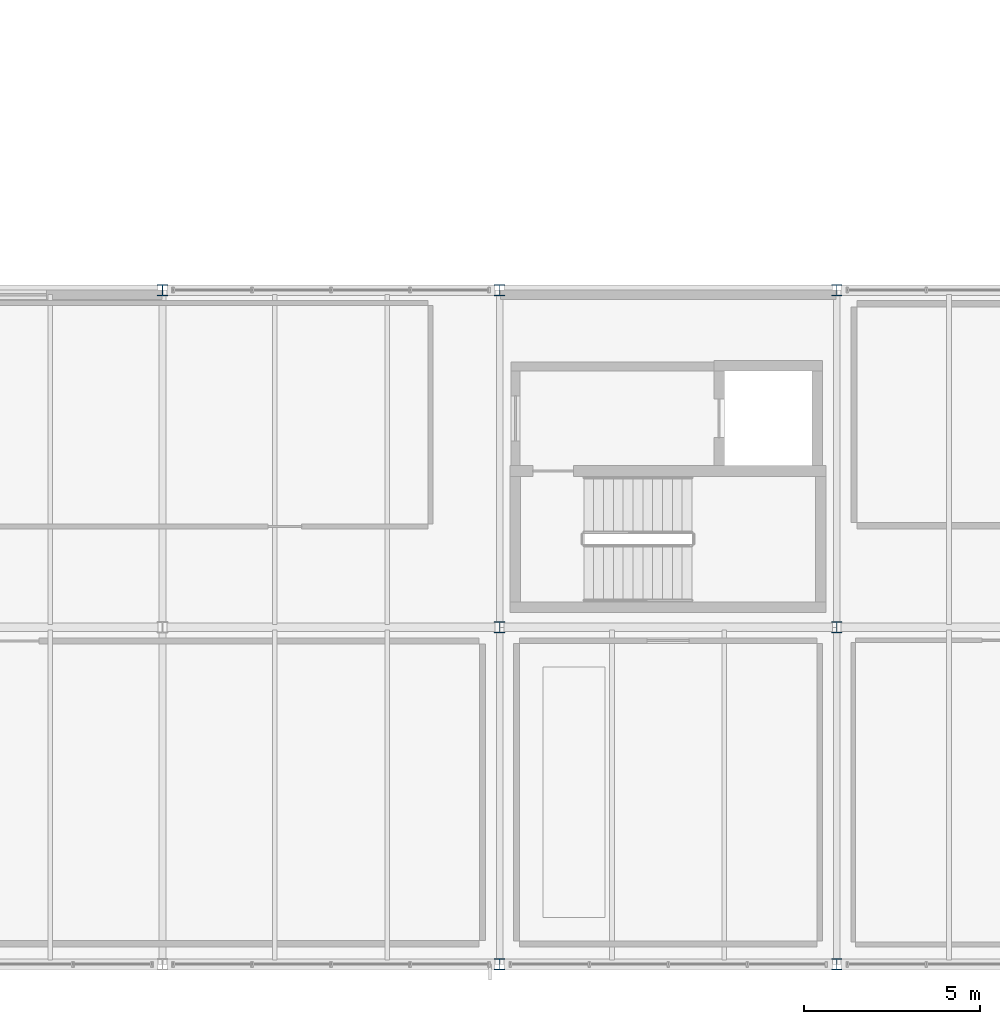
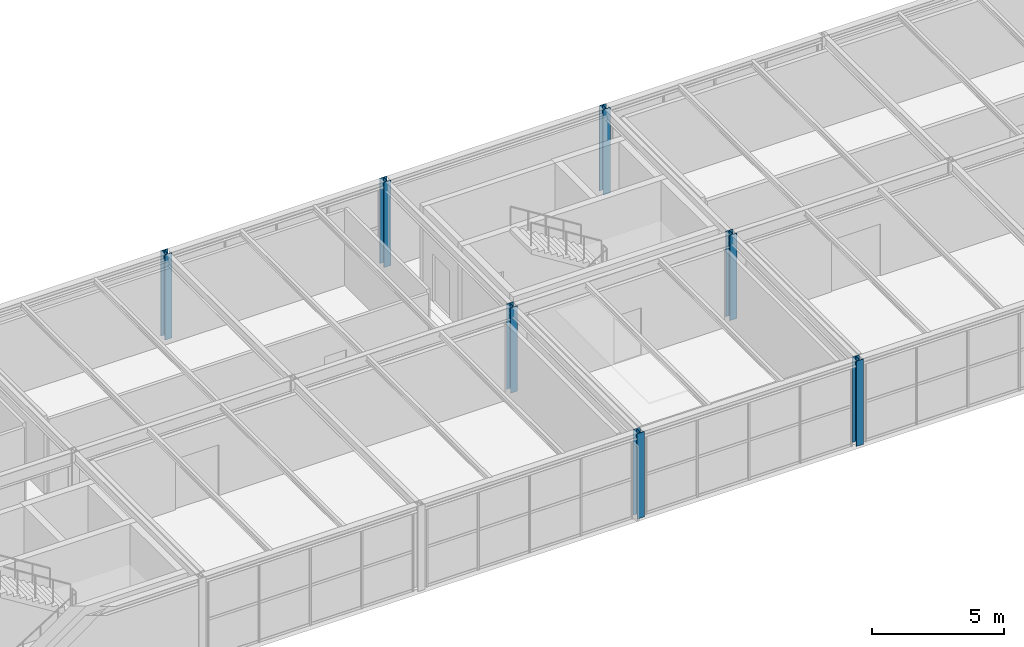
# One storey, part 2 of 50: 7 columns.
"""IFC4 building model written with IfcOpenShell, lengths in metres."""

import ifcopenshell
import ifcopenshell.guid

model = None  # the IFC model being written
_history = None  # IfcOwnerHistory: only IFC2X3 demands one
_inside = {}  # id of a spatial element -> (the spatial element, [elements in it])
_under = {}  # id of a project, library or spatial element -> (it, [spatial elements below it])
_declared = {}  # id of a project -> (the project, [libraries it declares])
_typed = {}  # id of a type object -> (the type object, [elements of that type])
_made_of = {}  # id of a material, layer set ... -> (it, [elements and type objects made of it])


def new_model(schema):
    """Start an empty IFC model of exactly this schema.

    Asked for "IFC4X3", IfcOpenShell would pick the latest addendum, in which some entities
    have other attributes; the version numbers below select the first issue.
    IFC2X3 requires an IfcOwnerHistory on every rooted entity: one is made here for all.
    """
    global model, _history
    if schema == "IFC4X3":
        model = ifcopenshell.file(schema_version=(4, 3, 0, 0))
    else:
        model = ifcopenshell.file(schema=schema)
    _inside.clear()
    _under.clear()
    _declared.clear()
    _typed.clear()
    _made_of.clear()
    _history = None
    if model.schema == "IFC2X3":
        org = make("IfcOrganization", Name="unknown")
        user = make(
            "IfcPersonAndOrganization",
            ThePerson=make("IfcPerson", FamilyName="unknown"),
            TheOrganization=org,
        )
        app = make(
            "IfcApplication",
            ApplicationDeveloper=org,
            Version="unknown",
            ApplicationFullName="unknown",
            ApplicationIdentifier="unknown",
        )
        _history = make(
            "IfcOwnerHistory",
            OwningUser=user,
            OwningApplication=app,
            ChangeAction="ADDED",
            CreationDate=0,
        )
    return model


def make(cls, **values):
    """One entity of the class cls with the attributes given. An attribute that is None is left unset."""
    return model.create_entity(
        cls, **{name: value for name, value in values.items() if value is not None}
    )


def rooted(cls, **values):
    """An entity with a GlobalId (a new one), such as an element, a storey or a relation."""
    return make(cls, GlobalId=ifcopenshell.guid.new(), OwnerHistory=_history, **values)


def si_unit(unit_type, name, prefix=None):
    """IfcSIUnit, for example si_unit("LENGTHUNIT", "METRE", prefix="MILLI")."""
    return make("IfcSIUnit", UnitType=unit_type, Prefix=prefix, Name=name)


def assignment(units):
    """IfcUnitAssignment: the units of a project."""
    return None if units is None else make("IfcUnitAssignment", Units=units)


def point(xyz):
    """IfcCartesianPoint."""
    return None if xyz is None else make("IfcCartesianPoint", Coordinates=xyz)


def direction(xyz):
    """IfcDirection."""
    return None if xyz is None else make("IfcDirection", DirectionRatios=xyz)


def frame(location, z_axis=None, x_axis=None):
    """IfcAxis2Placement3D, a coordinate frame: its origin and axes. An axis left out is left unset."""
    return make(
        "IfcAxis2Placement3D",
        Location=point(location),
        Axis=direction(z_axis),
        RefDirection=direction(x_axis),
    )


def frame_2d(location, x_axis=None):
    """IfcAxis2Placement2D, a coordinate frame in the plane: its origin and x axis."""
    return make(
        "IfcAxis2Placement2D", Location=point(location), RefDirection=direction(x_axis)
    )


def origin():
    """The frame at (0, 0, 0) with its axes left unset."""
    return frame((0.0, 0.0, 0.0))


def origin_2d():
    """The frame at (0, 0) in the plane with its x axis left unset."""
    return frame_2d((0.0, 0.0))


def place(relative_to, where):
    """IfcLocalPlacement: puts the frame where relative to a parent placement (None: the world)."""
    return make(
        "IfcLocalPlacement", PlacementRelTo=relative_to, RelativePlacement=where
    )


def context(
    kind, dimensions, precision=None, world=None, true_north=None, identifier=None
):
    """IfcGeometricRepresentationContext, for example the 3D "Model" context."""
    return make(
        "IfcGeometricRepresentationContext",
        ContextIdentifier=identifier,
        ContextType=kind,
        CoordinateSpaceDimension=dimensions,
        Precision=precision,
        WorldCoordinateSystem=world,
        TrueNorth=true_north,
    )


def subcontext(parent, identifier, kind, view, scale=None):
    """IfcGeometricRepresentationSubContext, for example "Body" below "Model"."""
    return make(
        "IfcGeometricRepresentationSubContext",
        ContextIdentifier=identifier,
        ContextType=kind,
        ParentContext=parent,
        TargetScale=scale,
        TargetView=view,
    )


def project(units=None, contexts=None):
    """IfcProject with its units and contexts."""
    return rooted(
        "IfcProject",
        Name="project",
        RepresentationContexts=contexts,
        UnitsInContext=assignment(units),
    )


def spatial(cls, under=None, at=None, **own):
    """A site, building, storey or space (cls), placed at a placement, below another one or the project."""
    s = rooted(cls, ObjectPlacement=at, **own)
    if under is not None:
        _under.setdefault(under.id(), (under, []))[1].append(s)
    return s


def profile(cls, at=None, kind="AREA", **sizes):
    """A parametric profile (cls). Its sizes go by their IFC names, for example OverallWidth=200.0."""
    return make(cls, ProfileType=kind, Position=at, **sizes)


def i_section(**sizes):
    """IfcIShapeProfileDef."""
    return profile("IfcIShapeProfileDef", **sizes)


def extrude(swept, where, along, depth):
    """IfcExtrudedAreaSolid: the profile swept, set in the frame where, extruded along a direction by depth."""
    return make(
        "IfcExtrudedAreaSolid",
        SweptArea=swept,
        Position=where,
        ExtrudedDirection=direction(along),
        Depth=depth,
    )


def shape(context_of_items, identifier, shape_type, items):
    """IfcShapeRepresentation: the items that make up one representation, for example the "Body"."""
    return make(
        "IfcShapeRepresentation",
        ContextOfItems=context_of_items,
        RepresentationIdentifier=identifier,
        RepresentationType=shape_type,
        Items=items,
    )


def material(Name=None, Category=None):
    """IfcMaterial."""
    return make("IfcMaterial", Name=Name, Category=Category)


def material_profile(
    of_material, cross_section, Name=None, Category=None, Priority=None
):
    """IfcMaterialProfile: a cross section and its material."""
    return make(
        "IfcMaterialProfile",
        Name=Name,
        Material=of_material,
        Profile=cross_section,
        Priority=Priority,
        Category=Category,
    )


def profile_set(profiles, Name=None, composite=None):
    """IfcMaterialProfileSet."""
    return make(
        "IfcMaterialProfileSet",
        Name=Name,
        MaterialProfiles=profiles,
        CompositeProfile=composite,
    )


def made_of(thing, what):
    """Note that an element or type object is made of a material, layer set ...; save() writes the relation."""
    if what is not None:
        _made_of.setdefault(what.id(), (what, []))[1].append(thing)
    return thing


def type_object(cls, material=None, **own):
    """A type object (cls), such as IfcWallType, which elements share."""
    return made_of(rooted(cls, **own), material)


def element(
    cls,
    number,
    at=None,
    inside=None,
    cuts=None,
    type_object=None,
    material=None,
    context=None,
    identifier="Body",
    shape_type=None,
    held_by="IfcProductDefinitionShape",
    body=None,
    shapes=None,
    **own,
):
    """One element of the class cls, such as IfcWall. Its Tag is "e" and its number.

    at: its placement. inside: the storey or other place that contains it. cuts: it is an
    opening in that element (IfcRelVoidsElement). A single representation is given by context,
    identifier, shape_type and body (its items); several are given by shapes. held_by: the class
    of the entity that holds the representations. save() writes the other relations.
    """
    e = rooted(cls, Tag="e%d" % number, ObjectPlacement=at, **own)
    if body is not None:
        shapes = [shape(context, identifier, shape_type, body)]
    if shapes is not None:
        e.Representation = make(held_by, Representations=shapes)
    if inside is not None:
        _inside.setdefault(inside.id(), (inside, []))[1].append(e)
    if cuts is not None:
        rooted(
            "IfcRelVoidsElement", RelatingBuildingElement=cuts, RelatedOpeningElement=e
        )
    if type_object is not None:
        _typed.setdefault(type_object.id(), (type_object, []))[1].append(e)
    return made_of(e, material)


def aggregate(whole, parts):
    """IfcRelAggregates: a whole, such as a stair, and the parts it consists of."""
    return rooted("IfcRelAggregates", RelatingObject=whole, RelatedObjects=parts)


def save(model, path):
    """Write the relations noted so far, then the file.

    IfcRelAggregates (storeys below a building ...), IfcRelContainedInSpatialStructure (elements
    in a storey), IfcRelDefinesByType, IfcRelAssociatesMaterial and IfcRelDeclares: one each for
    every whole, place, type object, material and project.
    """
    for whole, parts in _under.values():
        aggregate(whole, parts)
    for where, things in _inside.values():
        rooted(
            "IfcRelContainedInSpatialStructure",
            RelatedElements=things,
            RelatingStructure=where,
        )
    for kind, things in _typed.values():
        rooted("IfcRelDefinesByType", RelatedObjects=things, RelatingType=kind)
    for what, things in _made_of.values():
        rooted("IfcRelAssociatesMaterial", RelatedObjects=things, RelatingMaterial=what)
    for by, libraries in _declared.values():
        rooted("IfcRelDeclares", RelatingContext=by, RelatedDefinitions=libraries)
    model.write(path)


model = new_model("IFC4")

# Units and contexts
model_context = context("Model", 3, precision=1e-05, world=origin(), true_north=direction((0.0, 1.0)))
body_context = subcontext(model_context, "Body", "Model", "MODEL_VIEW")
ifc_project = project(units=[si_unit("LENGTHUNIT", "METRE"), si_unit("AREAUNIT", "SQUARE_METRE"), si_unit("VOLUMEUNIT", "CUBIC_METRE"), si_unit("PLANEANGLEUNIT", "RADIAN"), si_unit("MASSUNIT", "GRAM", prefix="KILO")], contexts=[model_context])

# Site, building, storey
site_placement = place(None, origin())
site = spatial("IfcSite", under=ifc_project, at=site_placement, CompositionType="ELEMENT")
building_placement = place(site_placement, origin())
building = spatial("IfcBuilding", under=site, at=building_placement, Name="Coralgate Yard Interchange", CompositionType="ELEMENT")
storey_placement = place(building_placement, frame((0.0, 0.0, 14.699951171875)))
storey = spatial("IfcBuildingStorey", under=building, at=storey_placement, Name="L03", CompositionType="ELEMENT", Elevation=14.699951171875)

# Columns
ifc_material = material(Name="Structural steel S355J2", Category="steel")
ifc_material_profile = material_profile(ifc_material, i_section(OverallWidth=0.311279296875, OverallDepth=0.3271484375, WebThickness=0.015869140625, FlangeThickness=0.02490234375, FilletRadius=0.01513671875, at=origin_2d()), Name="UC 305x305x158")
ifc_profile_set = profile_set([ifc_material_profile], Name="Structural steel S355J2")
column_type = type_object("IfcColumnType", Name="COL-SC-5", PredefinedType="COLUMN", material=ifc_profile_set)
for number, where, z_axis, x_axis, name in (
    (1, (38.39990234375, 19.199951171875, 0.0), (0.0, 0.0, 1.0), (1.0, 0.0, 0.0), "L03 structural column 4-2"),
    (2, (48.0, 0.0, 0.0), (0.0, 0.0, 1.0), (1.0, 0.0, 0.0), "L03 structural column 5-0"),
    (3, (48.0, 9.60009765625, 0.0), (0.0, 0.0, 1.0), (1.0, 0.0, 0.0), "L03 structural column 5-1"),
    (4, (48.0, 19.199951171875, 0.0), (0.0, 0.0, 1.0), (1.0, 0.0, 0.0), "L03 structural column 5-2"),
    (5, (57.60009765625, 0.0, 0.0), (0.0, 0.0, 1.0), (1.0, 0.0, 0.0), "L03 structural column 6-0"),
    (6, (57.60009765625, 9.60009765625, 0.0), (0.0, 0.0, 1.0), (1.0, 0.0, 0.0), "L03 structural column 6-1"),
    (7, (57.60009765625, 19.199951171875, 0.0), (0.0, 0.0, 1.0), (1.0, 0.0, 0.0), "L03 structural column 6-2"),
):
    element("IfcColumn", number, at=place(storey_placement, frame(where, z_axis=z_axis, x_axis=x_axis)), inside=storey, type_object=column_type, Name=name, PredefinedType="COLUMN", context=body_context, shape_type="SweptSolid", body=[
        extrude(i_section(OverallWidth=0.311279296875, OverallDepth=0.3271484375, WebThickness=0.015869140625, FlangeThickness=0.02490234375, FilletRadius=0.01513671875, at=origin_2d()), origin(), (0.0, 0.0, 1.0), 3.949951171875),
    ])

save(model, "model.ifc")
